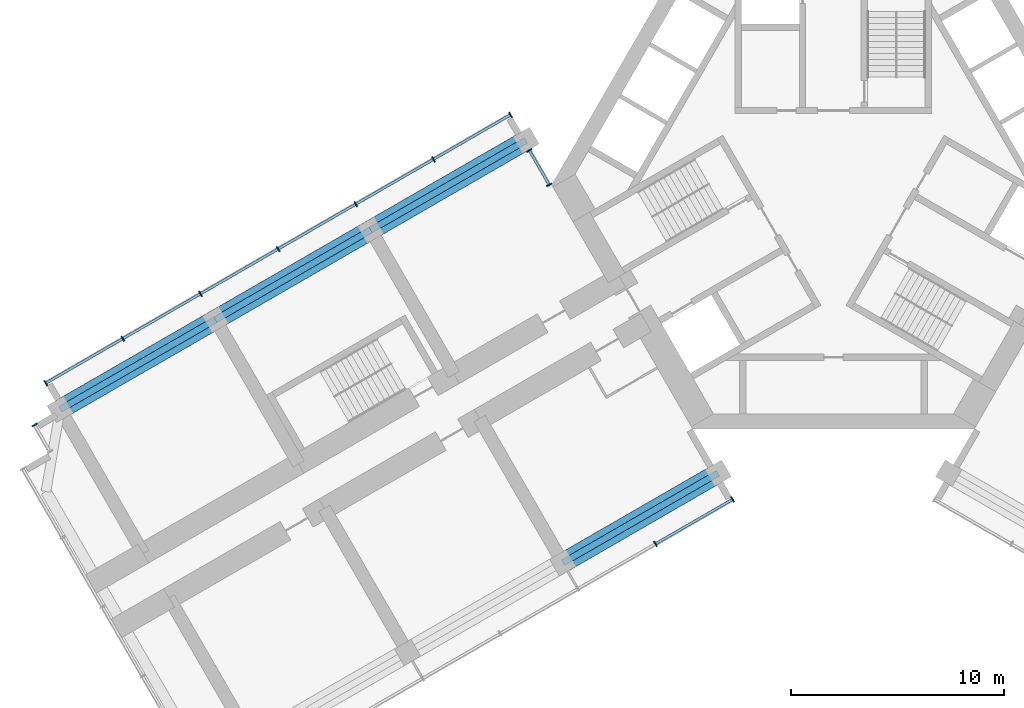
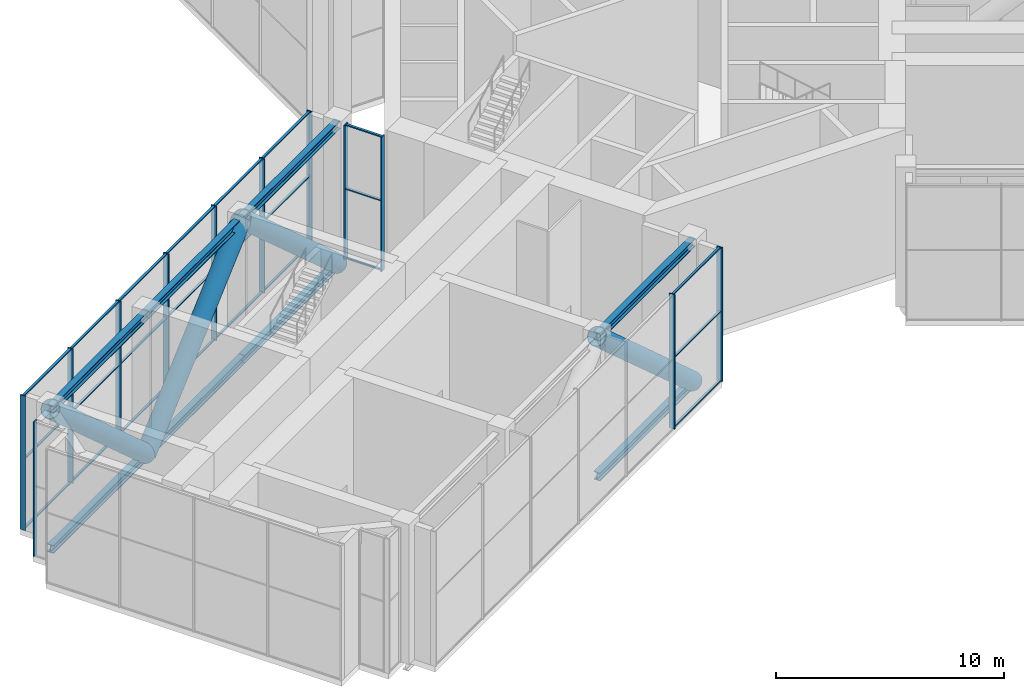
# One storey, part 3 of 16: 48 members, 4 elements without a shape of their own.
"""IFC4 building model written with IfcOpenShell, lengths in metres."""

from ifc_helpers import new_model, si_unit, direction, frame, origin, origin_2d, place, context, subcontext, project, spatial, rectangle, hollow_circle, i_section, extrude, material, material_profile, profile_set, type_object, element, aggregate, save


model = new_model("IFC4")

# Units and contexts
model_context = context("Model", 3, precision=1e-05, world=origin(), true_north=direction((0.0, 1.0)))
body_context = subcontext(model_context, "Body", "Model", "MODEL_VIEW")
ifc_project = project(units=[si_unit("LENGTHUNIT", "METRE"), si_unit("AREAUNIT", "SQUARE_METRE"), si_unit("VOLUMEUNIT", "CUBIC_METRE"), si_unit("PLANEANGLEUNIT", "RADIAN"), si_unit("MASSUNIT", "GRAM", prefix="KILO")], contexts=[model_context])

# Site, building, storey
site_placement = place(None, origin())
site = spatial("IfcSite", under=ifc_project, at=site_placement, CompositionType="ELEMENT")
building_placement = place(site_placement, origin())
building = spatial("IfcBuilding", under=site, at=building_placement, Name="Impinga Residences", CompositionType="ELEMENT")
storey_placement = place(building_placement, frame((0.0, 0.0, 181.0)))
storey = spatial("IfcBuildingStorey", under=building, at=storey_placement, Name="L45", CompositionType="ELEMENT", Elevation=181.0)

# Members
ifc_material_1 = material(Name="Steel S355", Category="steel")
ifc_material_profile_1 = material_profile(ifc_material_1, i_section(OverallWidth=0.306884765625, OverallDepth=0.431884765625, WebThickness=0.02099609375, FlangeThickness=0.0400390625, FilletRadius=0.027099609375, at=origin_2d()), Name="HE 400 M")
ifc_profile_set_1 = profile_set([ifc_material_profile_1], Name="Steel S355")
member_type_1 = type_object("IfcMemberType", Name="BT1 HE 400 M belt truss chord", PredefinedType="CHORD", material=ifc_profile_set_1)
for number, where, z_axis, x_axis, name in (
    (1, (-5.39990234375, -13.510009765625, -0.51611328125), (-0.86602925447, -0.499993330357, 0.0), (0.499993330357, -0.86602925447, 0.0), "Belt truss chord BT1 WA W1-W2 L45"),
    (2, (-5.39990234375, -13.510009765625, 6.98388671875), (-0.86602925447, -0.499993330357, 0.0), (0.499993330357, -0.86602925447, 0.0), "Belt truss chord BT1 WA W1-W2 L45"),
    (3, (-14.39990234375, 2.078369140625, -0.51611328125), (-0.86602925447, -0.499993330357, 0.0), (0.499993330357, -0.86602925447, 0.0), "Belt truss chord BT1 WF W1-W2 L45"),
    (4, (-14.39990234375, 2.078369140625, 6.98388671875), (-0.86602925447, -0.499993330357, 0.0), (0.499993330357, -0.86602925447, 0.0), "Belt truss chord BT1 WF W1-W2 L45"),
    (5, (-21.674560546875, -2.12158203125, -0.51611328125), (-0.86602925447, -0.499993330357, 0.0), (0.499993330357, -0.86602925447, 0.0), "Belt truss chord BT1 WF W2-W3 L45"),
    (6, (-21.674560546875, -2.12158203125, 6.98388671875), (-0.86602925447, -0.499993330357, 0.0), (0.499993330357, -0.86602925447, 0.0), "Belt truss chord BT1 WF W2-W3 L45"),
    (7, (-28.94921875, -6.321533203125, -0.51611328125), (-0.86602925447, -0.499993330357, 0.0), (0.499993330357, -0.86602925447, 0.0), "Belt truss chord BT1 WF W3-W4 L45"),
    (8, (-28.94921875, -6.321533203125, 6.98388671875), (-0.86602925447, -0.499993330357, 0.0), (0.499993330357, -0.86602925447, 0.0), "Belt truss chord BT1 WF W3-W4 L45"),
):
    element("IfcMember", number, at=place(storey_placement, frame(where, z_axis=z_axis, x_axis=x_axis)), inside=storey, type_object=member_type_1, Name=name, PredefinedType="CHORD", context=body_context, shape_type="SweptSolid", body=[
        extrude(i_section(OverallWidth=0.306884765625, OverallDepth=0.431884765625, WebThickness=0.02099609375, FlangeThickness=0.0400390625, FilletRadius=0.027099609375, at=origin_2d()), origin(), (0.0, 0.0, 1.0), 8.39990234375),
    ])
ifc_material_2 = material(Name="Steel S355J2H", Category="steel")
ifc_material_profile_2 = material_profile(ifc_material_2, hollow_circle(Radius=0.457275390625, WallThickness=0.02490234375, at=origin_2d()), Name="CHS 914.4x25")
ifc_profile_set_2 = profile_set([ifc_material_profile_2], Name="Steel S355J2H")
member_type_2 = type_object("IfcMemberType", Name="BT3 CHS 914.4x25 belt truss diagonal at L45", PredefinedType="BRACE", material=ifc_profile_set_2)
for number, where, z_axis, x_axis, name in (
    (9, (-5.39990234375, -13.510009765625, -0.51611328125), (-0.646004328005, -0.372964139164, 0.666015134285), (0.499993330357, -0.86602925447, 0.0), "Belt truss diagonal BT3 WA W1-W2 L45"),
    (10, (-14.39990234375, 2.078369140625, -0.51611328125), (-0.646004328005, -0.372964139164, 0.666015134285), (0.499993330357, -0.86602925447, 0.0), "Belt truss diagonal BT3 WF W1-W2 L45"),
    (11, (-21.674560546875, -2.12158203125, 6.98388671875), (-0.646004328005, -0.372964139164, -0.666015134285), (0.499993330357, -0.86602925447, 0.0), "Belt truss diagonal BT3 WF W2-W3 L45"),
    (12, (-28.94921875, -6.321533203125, -0.51611328125), (-0.646004328005, -0.372964139164, 0.666015134285), (0.499993330357, -0.86602925447, 0.0), "Belt truss diagonal BT3 WF W3-W4 L45"),
):
    element("IfcMember", number, at=place(storey_placement, frame(where, z_axis=z_axis, x_axis=x_axis)), inside=storey, type_object=member_type_2, Name=name, PredefinedType="BRACE", context=body_context, shape_type="SweptSolid", body=[
        extrude(hollow_circle(Radius=0.457275390625, WallThickness=0.02490234375, at=origin_2d()), origin(), (0.0, 0.0, 1.0), 11.260986328125),
    ])

# Curtain wall, member
ifc_material_3 = material(Name="Aluminium stick curtain wall", Category="aluminium")
curtain_wall_type = type_object("IfcCurtainWallType", Name="CW4 plant floor louvred curtain wall", PredefinedType="USERDEFINED", material=ifc_material_3)
curtain_wall_1_placement = place(storey_placement, origin())
curtain_wall_1 = element("IfcCurtainWall", 13, at=curtain_wall_1_placement, inside=storey, type_object=curtain_wall_type, Name="Curtain wall CW4 L45", ObjectType="STICK CURTAIN WALL", PredefinedType="USERDEFINED")
ifc_material_4 = material(Name="Aluminium mullion", Category="aluminium")
ifc_material_profile_3 = material_profile(ifc_material_4, rectangle(XDim=0.06005859375, YDim=0.27490234375, at=origin_2d()), Name="60x275 mullion")
ifc_profile_set_3 = profile_set([ifc_material_profile_3], Name="Aluminium mullion")
member_type_3 = type_object("IfcMemberType", Name="CW4-M mullion 60x275", PredefinedType="MULLION", material=ifc_profile_set_3)
member_1_placement = place(storey_placement, frame((-37.42138671875, -11.24755859375, 0.0), z_axis=(0.0, 0.0, 1.0), x_axis=(-0.500000030502, 0.866025386174, 0.0)))
member_1 = element("IfcMember", 14, at=member_1_placement, type_object=member_type_3, Name="CW4 mullion 2", PredefinedType="MULLION", context=body_context, shape_type="SweptSolid", body=[
    extrude(rectangle(XDim=0.06005859375, YDim=0.27490234375, at=origin_2d()), origin(), (0.0, 0.0, 1.0), 7.199951171875),
])
aggregate(curtain_wall_1, [member_1])

# Curtain wall, members
curtain_wall_2_placement = place(storey_placement, origin())
curtain_wall_2 = element("IfcCurtainWall", 15, at=curtain_wall_2_placement, inside=storey, type_object=curtain_wall_type, Name="Curtain wall CW4 L45", ObjectType="STICK CURTAIN WALL", PredefinedType="USERDEFINED")
member_2_placement = place(storey_placement, frame((-36.89794921875, -9.294189453125, 0.0), z_axis=(0.0, 0.0, 1.0), x_axis=(0.866025402048, 0.500000003008, 0.0)))
member_2 = element("IfcMember", 16, at=member_2_placement, type_object=member_type_3, Name="CW4 mullion 1", PredefinedType="MULLION", context=body_context, shape_type="SweptSolid", body=[
    extrude(rectangle(XDim=0.06005859375, YDim=0.27490234375, at=origin_2d()), origin(), (0.0, 0.0, 1.0), 7.199951171875),
])
member_3_placement = place(storey_placement, frame((-33.28662109375, -7.208984375, 0.0), z_axis=(0.0, 0.0, 1.0), x_axis=(0.866025402048, 0.500000003008, 0.0)))
member_3 = element("IfcMember", 17, at=member_3_placement, type_object=member_type_3, Name="CW4 mullion 2", PredefinedType="MULLION", context=body_context, shape_type="SweptSolid", body=[
    extrude(rectangle(XDim=0.06005859375, YDim=0.27490234375, at=origin_2d()), origin(), (0.0, 0.0, 1.0), 7.199951171875),
])
member_4_placement = place(storey_placement, frame((-29.649169921875, -5.109130859375, 0.0), z_axis=(0.0, 0.0, 1.0), x_axis=(0.866025402048, 0.500000003008, 0.0)))
member_4 = element("IfcMember", 18, at=member_4_placement, type_object=member_type_3, Name="CW4 mullion 3", PredefinedType="MULLION", context=body_context, shape_type="SweptSolid", body=[
    extrude(rectangle(XDim=0.06005859375, YDim=0.27490234375, at=origin_2d()), origin(), (0.0, 0.0, 1.0), 7.199951171875),
])
member_5_placement = place(storey_placement, frame((-26.011962890625, -3.009033203125, 0.0), z_axis=(0.0, 0.0, 1.0), x_axis=(0.866025402048, 0.500000003008, 0.0)))
member_5 = element("IfcMember", 19, at=member_5_placement, type_object=member_type_3, Name="CW4 mullion 4", PredefinedType="MULLION", context=body_context, shape_type="SweptSolid", body=[
    extrude(rectangle(XDim=0.06005859375, YDim=0.27490234375, at=origin_2d()), origin(), (0.0, 0.0, 1.0), 7.199951171875),
])
member_6_placement = place(storey_placement, frame((-22.37451171875, -0.9091796875, 0.0), z_axis=(0.0, 0.0, 1.0), x_axis=(0.866025402048, 0.500000003008, 0.0)))
member_6 = element("IfcMember", 20, at=member_6_placement, type_object=member_type_3, Name="CW4 mullion 5", PredefinedType="MULLION", context=body_context, shape_type="SweptSolid", body=[
    extrude(rectangle(XDim=0.06005859375, YDim=0.27490234375, at=origin_2d()), origin(), (0.0, 0.0, 1.0), 7.199951171875),
])
member_7_placement = place(storey_placement, frame((-18.7373046875, 1.19091796875, 0.0), z_axis=(0.0, 0.0, 1.0), x_axis=(0.866025402048, 0.500000003008, 0.0)))
member_7 = element("IfcMember", 21, at=member_7_placement, type_object=member_type_3, Name="CW4 mullion 6", PredefinedType="MULLION", context=body_context, shape_type="SweptSolid", body=[
    extrude(rectangle(XDim=0.06005859375, YDim=0.27490234375, at=origin_2d()), origin(), (0.0, 0.0, 1.0), 7.199951171875),
])
member_8_placement = place(storey_placement, frame((-15.1259765625, 3.27587890625, 0.0), z_axis=(0.0, 0.0, 1.0), x_axis=(0.866025402048, 0.500000003008, 0.0)))
member_8 = element("IfcMember", 22, at=member_8_placement, type_object=member_type_3, Name="CW4 mullion 7", PredefinedType="MULLION", context=body_context, shape_type="SweptSolid", body=[
    extrude(rectangle(XDim=0.06005859375, YDim=0.27490234375, at=origin_2d()), origin(), (0.0, 0.0, 1.0), 7.199951171875),
])

curtain_wall_3_placement = place(storey_placement, origin())
curtain_wall_3 = element("IfcCurtainWall", 23, at=curtain_wall_3_placement, inside=storey, type_object=curtain_wall_type, Name="Curtain wall CW4 L45", ObjectType="STICK CURTAIN WALL", PredefinedType="USERDEFINED")
member_9_placement = place(storey_placement, frame((-14.2451171875, 1.610107421875, 0.0), z_axis=(0.0, 0.0, 1.0), x_axis=(0.500000139919, -0.866025323002, 0.0)))
member_9 = element("IfcMember", 24, at=member_9_placement, type_object=member_type_3, Name="CW4 mullion 1", PredefinedType="MULLION", context=body_context, shape_type="SweptSolid", body=[
    extrude(rectangle(XDim=0.06005859375, YDim=0.27490234375, at=origin_2d()), origin(), (0.0, 0.0, 1.0), 7.199951171875),
])
member_10_placement = place(storey_placement, frame((-13.314208984375, -0.002197265625, 0.0), z_axis=(0.0, 0.0, 1.0), x_axis=(0.500000139919, -0.866025323002, 0.0)))
member_10 = element("IfcMember", 25, at=member_10_placement, type_object=member_type_3, Name="CW4 mullion 2", PredefinedType="MULLION", context=body_context, shape_type="SweptSolid", body=[
    extrude(rectangle(XDim=0.06005859375, YDim=0.27490234375, at=origin_2d()), origin(), (0.0, 0.0, 1.0), 7.199951171875),
])

curtain_wall_4_placement = place(storey_placement, origin())
curtain_wall_4 = element("IfcCurtainWall", 26, at=curtain_wall_4_placement, inside=storey, type_object=curtain_wall_type, Name="Curtain wall CW4 L45", ObjectType="STICK CURTAIN WALL", PredefinedType="USERDEFINED")
member_11_placement = place(storey_placement, frame((-4.72607421875, -14.737548828125, 0.0), z_axis=(0.0, 0.0, 1.0), x_axis=(-0.866025402048, -0.500000003008, 0.0)))
member_11 = element("IfcMember", 27, at=member_11_placement, type_object=member_type_3, Name="CW4 mullion 1", PredefinedType="MULLION", context=body_context, shape_type="SweptSolid", body=[
    extrude(rectangle(XDim=0.06005859375, YDim=0.27490234375, at=origin_2d()), origin(), (0.0, 0.0, 1.0), 7.199951171875),
])
member_12_placement = place(storey_placement, frame((-8.33740234375, -16.822509765625, 0.0), z_axis=(0.0, 0.0, 1.0), x_axis=(-0.866025402048, -0.500000003008, 0.0)))
member_12 = element("IfcMember", 28, at=member_12_placement, type_object=member_type_3, Name="CW4 mullion 2", PredefinedType="MULLION", context=body_context, shape_type="SweptSolid", body=[
    extrude(rectangle(XDim=0.06005859375, YDim=0.27490234375, at=origin_2d()), origin(), (0.0, 0.0, 1.0), 7.199951171875),
])

# Member
ifc_material_5 = material(Name="Aluminium transom", Category="aluminium")
ifc_material_profile_4 = material_profile(ifc_material_5, rectangle(XDim=0.06005859375, YDim=0.1201171875, at=origin_2d()), Name="60x120 transom")
ifc_profile_set_4 = profile_set([ifc_material_profile_4], Name="Aluminium transom")
member_type_4 = type_object("IfcMemberType", Name="CW4-T transom 60x120", PredefinedType="USERDEFINED", material=ifc_profile_set_4)
member_13_placement = place(storey_placement, frame((-36.871826171875, -9.279052734375, 0.030029296875), z_axis=(0.866030279993, 0.499991554064, 0.0), x_axis=(0.0, 0.0, 1.0)))
member_13 = element("IfcMember", 29, at=member_13_placement, type_object=member_type_4, Name="CW4 transom 1.1", ObjectType="TRANSOM", PredefinedType="USERDEFINED", context=body_context, shape_type="SweptSolid", body=[
    extrude(rectangle(XDim=0.06005859375, YDim=0.1201171875, at=origin_2d()), origin(), (0.0, 0.0, 1.0), 4.10986328125),
])

member_14_placement = place(storey_placement, frame((-36.871826171875, -9.279052734375, 3.75), z_axis=(0.866030279993, 0.499991554064, 0.0), x_axis=(0.0, 0.0, 1.0)))
member_14 = element("IfcMember", 30, at=member_14_placement, type_object=member_type_4, Name="CW4 transom 1.2", ObjectType="TRANSOM", PredefinedType="USERDEFINED", context=body_context, shape_type="SweptSolid", body=[
    extrude(rectangle(XDim=0.06005859375, YDim=0.1201171875, at=origin_2d()), origin(), (0.0, 0.0, 1.0), 4.10986328125),
])

member_15_placement = place(storey_placement, frame((-36.871826171875, -9.279052734375, 7.169921875), z_axis=(0.866030279993, 0.499991554064, 0.0), x_axis=(0.0, 0.0, 1.0)))
member_15 = element("IfcMember", 31, at=member_15_placement, type_object=member_type_4, Name="CW4 transom 1.3", ObjectType="TRANSOM", PredefinedType="USERDEFINED", context=body_context, shape_type="SweptSolid", body=[
    extrude(rectangle(XDim=0.06005859375, YDim=0.1201171875, at=origin_2d()), origin(), (0.0, 0.0, 1.0), 4.10986328125),
])

member_16_placement = place(storey_placement, frame((-33.260498046875, -7.194091796875, 0.030029296875), z_axis=(0.866009793405, 0.500027036996, 0.0), x_axis=(0.0, 0.0, 1.0)))
member_16 = element("IfcMember", 32, at=member_16_placement, type_object=member_type_4, Name="CW4 transom 2.1", ObjectType="TRANSOM", PredefinedType="USERDEFINED", context=body_context, shape_type="SweptSolid", body=[
    extrude(rectangle(XDim=0.06005859375, YDim=0.1201171875, at=origin_2d()), origin(), (0.0, 0.0, 1.0), 4.139892578125),
])

member_17_placement = place(storey_placement, frame((-33.260498046875, -7.194091796875, 3.75), z_axis=(0.866009793405, 0.500027036996, 0.0), x_axis=(0.0, 0.0, 1.0)))
member_17 = element("IfcMember", 33, at=member_17_placement, type_object=member_type_4, Name="CW4 transom 2.2", ObjectType="TRANSOM", PredefinedType="USERDEFINED", context=body_context, shape_type="SweptSolid", body=[
    extrude(rectangle(XDim=0.06005859375, YDim=0.1201171875, at=origin_2d()), origin(), (0.0, 0.0, 1.0), 4.139892578125),
])

member_18_placement = place(storey_placement, frame((-33.260498046875, -7.194091796875, 7.169921875), z_axis=(0.866009793405, 0.500027036996, 0.0), x_axis=(0.0, 0.0, 1.0)))
member_18 = element("IfcMember", 34, at=member_18_placement, type_object=member_type_4, Name="CW4 transom 2.3", ObjectType="TRANSOM", PredefinedType="USERDEFINED", context=body_context, shape_type="SweptSolid", body=[
    extrude(rectangle(XDim=0.06005859375, YDim=0.1201171875, at=origin_2d()), origin(), (0.0, 0.0, 1.0), 4.139892578125),
])

member_19_placement = place(storey_placement, frame((-29.623291015625, -5.093994140625, 0.030029296875), z_axis=(0.866050071143, 0.499957272447, 0.0), x_axis=(0.0, 0.0, 1.0)))
member_19 = element("IfcMember", 35, at=member_19_placement, type_object=member_type_4, Name="CW4 transom 3.1", ObjectType="TRANSOM", PredefinedType="USERDEFINED", context=body_context, shape_type="SweptSolid", body=[
    extrude(rectangle(XDim=0.06005859375, YDim=0.1201171875, at=origin_2d()), origin(), (0.0, 0.0, 1.0), 4.139892578125),
])

member_20_placement = place(storey_placement, frame((-29.623291015625, -5.093994140625, 3.75), z_axis=(0.866050071143, 0.499957272447, 0.0), x_axis=(0.0, 0.0, 1.0)))
member_20 = element("IfcMember", 36, at=member_20_placement, type_object=member_type_4, Name="CW4 transom 3.2", ObjectType="TRANSOM", PredefinedType="USERDEFINED", context=body_context, shape_type="SweptSolid", body=[
    extrude(rectangle(XDim=0.06005859375, YDim=0.1201171875, at=origin_2d()), origin(), (0.0, 0.0, 1.0), 4.139892578125),
])

member_21_placement = place(storey_placement, frame((-29.623291015625, -5.093994140625, 7.169921875), z_axis=(0.866050071143, 0.499957272447, 0.0), x_axis=(0.0, 0.0, 1.0)))
member_21 = element("IfcMember", 37, at=member_21_placement, type_object=member_type_4, Name="CW4 transom 3.3", ObjectType="TRANSOM", PredefinedType="USERDEFINED", context=body_context, shape_type="SweptSolid", body=[
    extrude(rectangle(XDim=0.06005859375, YDim=0.1201171875, at=origin_2d()), origin(), (0.0, 0.0, 1.0), 4.139892578125),
])

member_22_placement = place(storey_placement, frame((-25.98583984375, -2.994140625, 0.030029296875), z_axis=(0.866009793405, 0.500027036996, 0.0), x_axis=(0.0, 0.0, 1.0)))
member_22 = element("IfcMember", 38, at=member_22_placement, type_object=member_type_4, Name="CW4 transom 4.1", ObjectType="TRANSOM", PredefinedType="USERDEFINED", context=body_context, shape_type="SweptSolid", body=[
    extrude(rectangle(XDim=0.06005859375, YDim=0.1201171875, at=origin_2d()), origin(), (0.0, 0.0, 1.0), 4.139892578125),
])

member_23_placement = place(storey_placement, frame((-25.98583984375, -2.994140625, 3.75), z_axis=(0.866009793405, 0.500027036996, 0.0), x_axis=(0.0, 0.0, 1.0)))
member_23 = element("IfcMember", 39, at=member_23_placement, type_object=member_type_4, Name="CW4 transom 4.2", ObjectType="TRANSOM", PredefinedType="USERDEFINED", context=body_context, shape_type="SweptSolid", body=[
    extrude(rectangle(XDim=0.06005859375, YDim=0.1201171875, at=origin_2d()), origin(), (0.0, 0.0, 1.0), 4.139892578125),
])

member_24_placement = place(storey_placement, frame((-25.98583984375, -2.994140625, 7.169921875), z_axis=(0.866009793405, 0.500027036996, 0.0), x_axis=(0.0, 0.0, 1.0)))
member_24 = element("IfcMember", 40, at=member_24_placement, type_object=member_type_4, Name="CW4 transom 4.3", ObjectType="TRANSOM", PredefinedType="USERDEFINED", context=body_context, shape_type="SweptSolid", body=[
    extrude(rectangle(XDim=0.06005859375, YDim=0.1201171875, at=origin_2d()), origin(), (0.0, 0.0, 1.0), 4.139892578125),
])

member_25_placement = place(storey_placement, frame((-22.3486328125, -0.89404296875, 0.030029296875), z_axis=(0.866050071143, 0.499957272447, 0.0), x_axis=(0.0, 0.0, 1.0)))
member_25 = element("IfcMember", 41, at=member_25_placement, type_object=member_type_4, Name="CW4 transom 5.1", ObjectType="TRANSOM", PredefinedType="USERDEFINED", context=body_context, shape_type="SweptSolid", body=[
    extrude(rectangle(XDim=0.06005859375, YDim=0.1201171875, at=origin_2d()), origin(), (0.0, 0.0, 1.0), 4.139892578125),
])

member_26_placement = place(storey_placement, frame((-22.3486328125, -0.89404296875, 3.75), z_axis=(0.866050071143, 0.499957272447, 0.0), x_axis=(0.0, 0.0, 1.0)))
member_26 = element("IfcMember", 42, at=member_26_placement, type_object=member_type_4, Name="CW4 transom 5.2", ObjectType="TRANSOM", PredefinedType="USERDEFINED", context=body_context, shape_type="SweptSolid", body=[
    extrude(rectangle(XDim=0.06005859375, YDim=0.1201171875, at=origin_2d()), origin(), (0.0, 0.0, 1.0), 4.139892578125),
])

member_27_placement = place(storey_placement, frame((-22.3486328125, -0.89404296875, 7.169921875), z_axis=(0.866050071143, 0.499957272447, 0.0), x_axis=(0.0, 0.0, 1.0)))
member_27 = element("IfcMember", 43, at=member_27_placement, type_object=member_type_4, Name="CW4 transom 5.3", ObjectType="TRANSOM", PredefinedType="USERDEFINED", context=body_context, shape_type="SweptSolid", body=[
    extrude(rectangle(XDim=0.06005859375, YDim=0.1201171875, at=origin_2d()), origin(), (0.0, 0.0, 1.0), 4.139892578125),
])

member_28_placement = place(storey_placement, frame((-18.71142578125, 1.205810546875, 0.030029296875), z_axis=(0.866019409031, 0.500010383074, 0.0), x_axis=(0.0, 0.0, 1.0)))
member_28 = element("IfcMember", 44, at=member_28_placement, type_object=member_type_4, Name="CW4 transom 6.1", ObjectType="TRANSOM", PredefinedType="USERDEFINED", context=body_context, shape_type="SweptSolid", body=[
    extrude(rectangle(XDim=0.06005859375, YDim=0.1201171875, at=origin_2d()), origin(), (0.0, 0.0, 1.0), 4.1103515625),
])

member_29_placement = place(storey_placement, frame((-18.71142578125, 1.205810546875, 3.75), z_axis=(0.866019409031, 0.500010383074, 0.0), x_axis=(0.0, 0.0, 1.0)))
member_29 = element("IfcMember", 45, at=member_29_placement, type_object=member_type_4, Name="CW4 transom 6.2", ObjectType="TRANSOM", PredefinedType="USERDEFINED", context=body_context, shape_type="SweptSolid", body=[
    extrude(rectangle(XDim=0.06005859375, YDim=0.1201171875, at=origin_2d()), origin(), (0.0, 0.0, 1.0), 4.1103515625),
])

member_30_placement = place(storey_placement, frame((-18.71142578125, 1.205810546875, 7.169921875), z_axis=(0.866019409031, 0.500010383074, 0.0), x_axis=(0.0, 0.0, 1.0)))
member_30 = element("IfcMember", 46, at=member_30_placement, type_object=member_type_4, Name="CW4 transom 6.3", ObjectType="TRANSOM", PredefinedType="USERDEFINED", context=body_context, shape_type="SweptSolid", body=[
    extrude(rectangle(XDim=0.06005859375, YDim=0.1201171875, at=origin_2d()), origin(), (0.0, 0.0, 1.0), 4.1103515625),
])

aggregate(curtain_wall_2, [member_2, member_3, member_4, member_5, member_6, member_7, member_8, member_13, member_14, member_15, member_16, member_17, member_18, member_19, member_20, member_21, member_22, member_23, member_24, member_25, member_26, member_27, member_28, member_29, member_30])

member_31_placement = place(storey_placement, frame((-14.230224609375, 1.584228515625, 0.030029296875), z_axis=(0.500058636115, -0.865991547561, 0.0), x_axis=(0.0, 0.0, 1.0)))
member_31 = element("IfcMember", 47, at=member_31_placement, type_object=member_type_4, Name="CW4 transom 1.1", ObjectType="TRANSOM", PredefinedType="USERDEFINED", context=body_context, shape_type="SweptSolid", body=[
    extrude(rectangle(XDim=0.06005859375, YDim=0.1201171875, at=origin_2d()), origin(), (0.0, 0.0, 1.0), 1.802001953125),
])

member_32_placement = place(storey_placement, frame((-14.230224609375, 1.584228515625, 3.75), z_axis=(0.500058636115, -0.865991547561, 0.0), x_axis=(0.0, 0.0, 1.0)))
member_32 = element("IfcMember", 48, at=member_32_placement, type_object=member_type_4, Name="CW4 transom 1.2", ObjectType="TRANSOM", PredefinedType="USERDEFINED", context=body_context, shape_type="SweptSolid", body=[
    extrude(rectangle(XDim=0.06005859375, YDim=0.1201171875, at=origin_2d()), origin(), (0.0, 0.0, 1.0), 1.802001953125),
])

member_33_placement = place(storey_placement, frame((-14.230224609375, 1.584228515625, 7.169921875), z_axis=(0.500058636115, -0.865991547561, 0.0), x_axis=(0.0, 0.0, 1.0)))
member_33 = element("IfcMember", 49, at=member_33_placement, type_object=member_type_4, Name="CW4 transom 1.3", ObjectType="TRANSOM", PredefinedType="USERDEFINED", context=body_context, shape_type="SweptSolid", body=[
    extrude(rectangle(XDim=0.06005859375, YDim=0.1201171875, at=origin_2d()), origin(), (0.0, 0.0, 1.0), 1.802001953125),
])

aggregate(curtain_wall_3, [member_9, member_10, member_31, member_32, member_33])

member_34_placement = place(storey_placement, frame((-4.751953125, -14.75244140625, 0.030029296875), z_axis=(-0.866030279993, -0.499991554064, 0.0), x_axis=(0.0, 0.0, 1.0)))
member_34 = element("IfcMember", 50, at=member_34_placement, type_object=member_type_4, Name="CW4 transom 1.1", ObjectType="TRANSOM", PredefinedType="USERDEFINED", context=body_context, shape_type="SweptSolid", body=[
    extrude(rectangle(XDim=0.06005859375, YDim=0.1201171875, at=origin_2d()), origin(), (0.0, 0.0, 1.0), 4.10986328125),
])

member_35_placement = place(storey_placement, frame((-4.751953125, -14.75244140625, 3.75), z_axis=(-0.866030279993, -0.499991554064, 0.0), x_axis=(0.0, 0.0, 1.0)))
member_35 = element("IfcMember", 51, at=member_35_placement, type_object=member_type_4, Name="CW4 transom 1.2", ObjectType="TRANSOM", PredefinedType="USERDEFINED", context=body_context, shape_type="SweptSolid", body=[
    extrude(rectangle(XDim=0.06005859375, YDim=0.1201171875, at=origin_2d()), origin(), (0.0, 0.0, 1.0), 4.10986328125),
])

member_36_placement = place(storey_placement, frame((-4.751953125, -14.75244140625, 7.169921875), z_axis=(-0.866030279993, -0.499991554064, 0.0), x_axis=(0.0, 0.0, 1.0)))
member_36 = element("IfcMember", 52, at=member_36_placement, type_object=member_type_4, Name="CW4 transom 1.3", ObjectType="TRANSOM", PredefinedType="USERDEFINED", context=body_context, shape_type="SweptSolid", body=[
    extrude(rectangle(XDim=0.06005859375, YDim=0.1201171875, at=origin_2d()), origin(), (0.0, 0.0, 1.0), 4.10986328125),
])

aggregate(curtain_wall_4, [member_11, member_12, member_34, member_35, member_36])

save(model, "model.ifc")
